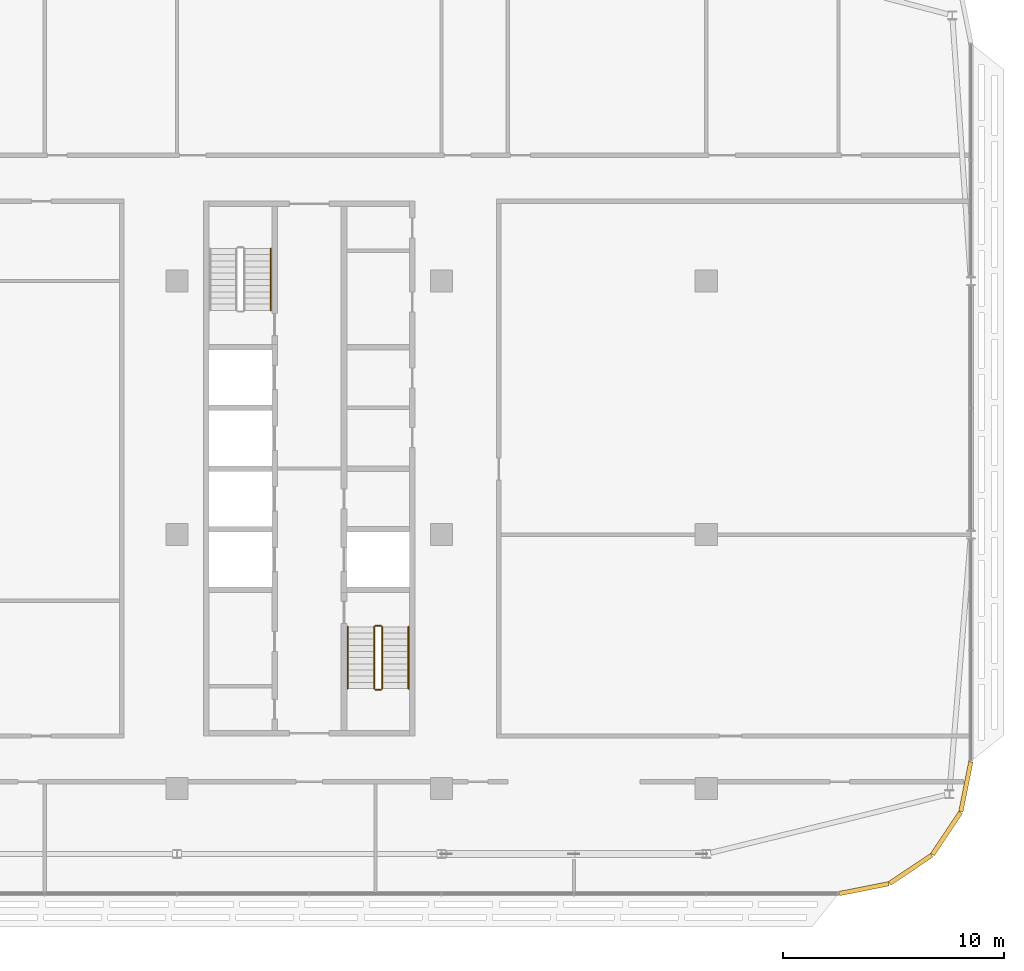
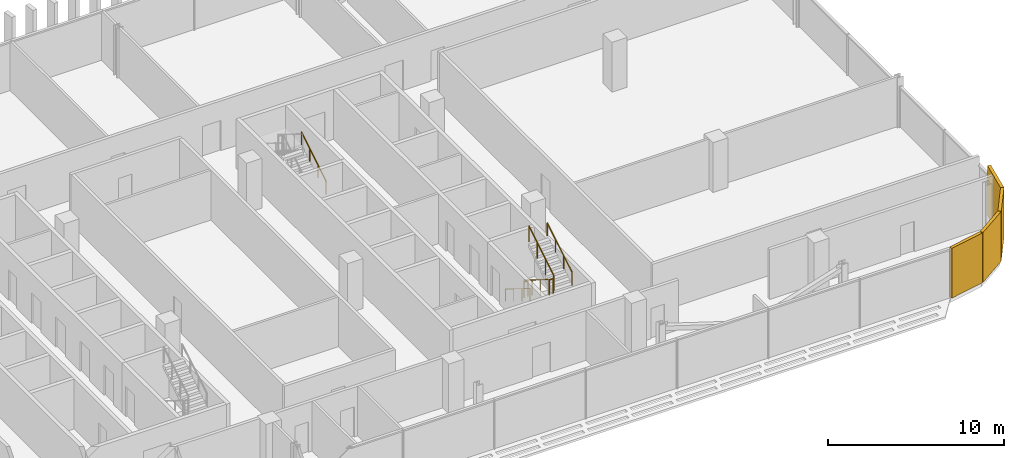
# One storey, part 31 of 32: 7 railings, 4 coverings.
"""IFC4 building model written with IfcOpenShell, lengths in metres."""

import ifcopenshell
import ifcopenshell.guid

model = None  # the IFC model being written
_history = None  # IfcOwnerHistory: only IFC2X3 demands one
_inside = {}  # id of a spatial element -> (the spatial element, [elements in it])
_under = {}  # id of a project, library or spatial element -> (it, [spatial elements below it])
_declared = {}  # id of a project -> (the project, [libraries it declares])
_typed = {}  # id of a type object -> (the type object, [elements of that type])
_made_of = {}  # id of a material, layer set ... -> (it, [elements and type objects made of it])


def new_model(schema):
    """Start an empty IFC model of exactly this schema.

    Asked for "IFC4X3", IfcOpenShell would pick the latest addendum, in which some entities
    have other attributes; the version numbers below select the first issue.
    IFC2X3 requires an IfcOwnerHistory on every rooted entity: one is made here for all.
    """
    global model, _history
    if schema == "IFC4X3":
        model = ifcopenshell.file(schema_version=(4, 3, 0, 0))
    else:
        model = ifcopenshell.file(schema=schema)
    _inside.clear()
    _under.clear()
    _declared.clear()
    _typed.clear()
    _made_of.clear()
    _history = None
    if model.schema == "IFC2X3":
        org = make("IfcOrganization", Name="unknown")
        user = make(
            "IfcPersonAndOrganization",
            ThePerson=make("IfcPerson", FamilyName="unknown"),
            TheOrganization=org,
        )
        app = make(
            "IfcApplication",
            ApplicationDeveloper=org,
            Version="unknown",
            ApplicationFullName="unknown",
            ApplicationIdentifier="unknown",
        )
        _history = make(
            "IfcOwnerHistory",
            OwningUser=user,
            OwningApplication=app,
            ChangeAction="ADDED",
            CreationDate=0,
        )
    return model


def make(cls, **values):
    """One entity of the class cls with the attributes given. An attribute that is None is left unset."""
    return model.create_entity(
        cls, **{name: value for name, value in values.items() if value is not None}
    )


def rooted(cls, **values):
    """An entity with a GlobalId (a new one), such as an element, a storey or a relation."""
    return make(cls, GlobalId=ifcopenshell.guid.new(), OwnerHistory=_history, **values)


def si_unit(unit_type, name, prefix=None):
    """IfcSIUnit, for example si_unit("LENGTHUNIT", "METRE", prefix="MILLI")."""
    return make("IfcSIUnit", UnitType=unit_type, Prefix=prefix, Name=name)


def assignment(units):
    """IfcUnitAssignment: the units of a project."""
    return None if units is None else make("IfcUnitAssignment", Units=units)


def point(xyz):
    """IfcCartesianPoint."""
    return None if xyz is None else make("IfcCartesianPoint", Coordinates=xyz)


def direction(xyz):
    """IfcDirection."""
    return None if xyz is None else make("IfcDirection", DirectionRatios=xyz)


def frame(location, z_axis=None, x_axis=None):
    """IfcAxis2Placement3D, a coordinate frame: its origin and axes. An axis left out is left unset."""
    return make(
        "IfcAxis2Placement3D",
        Location=point(location),
        Axis=direction(z_axis),
        RefDirection=direction(x_axis),
    )


def frame_2d(location, x_axis=None):
    """IfcAxis2Placement2D, a coordinate frame in the plane: its origin and x axis."""
    return make(
        "IfcAxis2Placement2D", Location=point(location), RefDirection=direction(x_axis)
    )


def origin():
    """The frame at (0, 0, 0) with its axes left unset."""
    return frame((0.0, 0.0, 0.0))


def origin_2d():
    """The frame at (0, 0) in the plane with its x axis left unset."""
    return frame_2d((0.0, 0.0))


def place(relative_to, where):
    """IfcLocalPlacement: puts the frame where relative to a parent placement (None: the world)."""
    return make(
        "IfcLocalPlacement", PlacementRelTo=relative_to, RelativePlacement=where
    )


def context(
    kind, dimensions, precision=None, world=None, true_north=None, identifier=None
):
    """IfcGeometricRepresentationContext, for example the 3D "Model" context."""
    return make(
        "IfcGeometricRepresentationContext",
        ContextIdentifier=identifier,
        ContextType=kind,
        CoordinateSpaceDimension=dimensions,
        Precision=precision,
        WorldCoordinateSystem=world,
        TrueNorth=true_north,
    )


def subcontext(parent, identifier, kind, view, scale=None):
    """IfcGeometricRepresentationSubContext, for example "Body" below "Model"."""
    return make(
        "IfcGeometricRepresentationSubContext",
        ContextIdentifier=identifier,
        ContextType=kind,
        ParentContext=parent,
        TargetScale=scale,
        TargetView=view,
    )


def project(units=None, contexts=None):
    """IfcProject with its units and contexts."""
    return rooted(
        "IfcProject",
        Name="project",
        RepresentationContexts=contexts,
        UnitsInContext=assignment(units),
    )


def spatial(cls, under=None, at=None, **own):
    """A site, building, storey or space (cls), placed at a placement, below another one or the project."""
    s = rooted(cls, ObjectPlacement=at, **own)
    if under is not None:
        _under.setdefault(under.id(), (under, []))[1].append(s)
    return s


def profile(cls, at=None, kind="AREA", **sizes):
    """A parametric profile (cls). Its sizes go by their IFC names, for example OverallWidth=200.0."""
    return make(cls, ProfileType=kind, Position=at, **sizes)


def rectangle(**sizes):
    """IfcRectangleProfileDef."""
    return profile("IfcRectangleProfileDef", **sizes)


def circle(**sizes):
    """IfcCircleProfileDef."""
    return profile("IfcCircleProfileDef", **sizes)


def extrude(swept, where, along, depth):
    """IfcExtrudedAreaSolid: the profile swept, set in the frame where, extruded along a direction by depth."""
    return make(
        "IfcExtrudedAreaSolid",
        SweptArea=swept,
        Position=where,
        ExtrudedDirection=direction(along),
        Depth=depth,
    )


def shape(context_of_items, identifier, shape_type, items):
    """IfcShapeRepresentation: the items that make up one representation, for example the "Body"."""
    return make(
        "IfcShapeRepresentation",
        ContextOfItems=context_of_items,
        RepresentationIdentifier=identifier,
        RepresentationType=shape_type,
        Items=items,
    )


def material(Name=None, Category=None):
    """IfcMaterial."""
    return make("IfcMaterial", Name=Name, Category=Category)


def layer(
    of_material, thickness, ventilated=None, Name=None, Category=None, Priority=None
):
    """IfcMaterialLayer: one layer of a wall or slab, of a material (None: an air gap)."""
    return make(
        "IfcMaterialLayer",
        Material=of_material,
        LayerThickness=thickness,
        IsVentilated=ventilated,
        Name=Name,
        Category=Category,
        Priority=Priority,
    )


def layer_set(layers, Name=None):
    """IfcMaterialLayerSet."""
    return make("IfcMaterialLayerSet", MaterialLayers=layers, LayerSetName=Name)


def made_of(thing, what):
    """Note that an element or type object is made of a material, layer set ...; save() writes the relation."""
    if what is not None:
        _made_of.setdefault(what.id(), (what, []))[1].append(thing)
    return thing


def type_object(cls, material=None, **own):
    """A type object (cls), such as IfcWallType, which elements share."""
    return made_of(rooted(cls, **own), material)


def element(
    cls,
    number,
    at=None,
    inside=None,
    cuts=None,
    type_object=None,
    material=None,
    context=None,
    identifier="Body",
    shape_type=None,
    held_by="IfcProductDefinitionShape",
    body=None,
    shapes=None,
    **own,
):
    """One element of the class cls, such as IfcWall. Its Tag is "e" and its number.

    at: its placement. inside: the storey or other place that contains it. cuts: it is an
    opening in that element (IfcRelVoidsElement). A single representation is given by context,
    identifier, shape_type and body (its items); several are given by shapes. held_by: the class
    of the entity that holds the representations. save() writes the other relations.
    """
    e = rooted(cls, Tag="e%d" % number, ObjectPlacement=at, **own)
    if body is not None:
        shapes = [shape(context, identifier, shape_type, body)]
    if shapes is not None:
        e.Representation = make(held_by, Representations=shapes)
    if inside is not None:
        _inside.setdefault(inside.id(), (inside, []))[1].append(e)
    if cuts is not None:
        rooted(
            "IfcRelVoidsElement", RelatingBuildingElement=cuts, RelatedOpeningElement=e
        )
    if type_object is not None:
        _typed.setdefault(type_object.id(), (type_object, []))[1].append(e)
    return made_of(e, material)


def aggregate(whole, parts):
    """IfcRelAggregates: a whole, such as a stair, and the parts it consists of."""
    return rooted("IfcRelAggregates", RelatingObject=whole, RelatedObjects=parts)


def save(model, path):
    """Write the relations noted so far, then the file.

    IfcRelAggregates (storeys below a building ...), IfcRelContainedInSpatialStructure (elements
    in a storey), IfcRelDefinesByType, IfcRelAssociatesMaterial and IfcRelDeclares: one each for
    every whole, place, type object, material and project.
    """
    for whole, parts in _under.values():
        aggregate(whole, parts)
    for where, things in _inside.values():
        rooted(
            "IfcRelContainedInSpatialStructure",
            RelatedElements=things,
            RelatingStructure=where,
        )
    for kind, things in _typed.values():
        rooted("IfcRelDefinesByType", RelatedObjects=things, RelatingType=kind)
    for what, things in _made_of.values():
        rooted("IfcRelAssociatesMaterial", RelatedObjects=things, RelatingMaterial=what)
    for by, libraries in _declared.values():
        rooted("IfcRelDeclares", RelatingContext=by, RelatedDefinitions=libraries)
    model.write(path)


model = new_model("IFC4")

# Units and contexts
model_context = context("Model", 3, precision=1e-05, world=origin(), true_north=direction((0.0, 1.0)))
body_context = subcontext(model_context, "Body", "Model", "MODEL_VIEW")
ifc_project = project(units=[si_unit("LENGTHUNIT", "METRE"), si_unit("AREAUNIT", "SQUARE_METRE"), si_unit("VOLUMEUNIT", "CUBIC_METRE"), si_unit("PLANEANGLEUNIT", "RADIAN"), si_unit("MASSUNIT", "GRAM", prefix="KILO")], contexts=[model_context])

# Site, building, storey
site_placement = place(None, origin())
site = spatial("IfcSite", under=ifc_project, at=site_placement, CompositionType="ELEMENT")
building_placement = place(site_placement, origin())
building = spatial("IfcBuilding", under=site, at=building_placement, Name="Mahtab Terrace Research Tower", CompositionType="ELEMENT")
storey_placement = place(building_placement, frame((0.0, 0.0, 236.199951171875)))
storey = spatial("IfcBuildingStorey", under=building, at=storey_placement, Name="L57", CompositionType="ELEMENT", Elevation=236.199951171875)

# Coverings
ifc_material_1 = material(Name="Black aluminium cladding panel", Category="aluminium")
ifc_layer = layer(ifc_material_1, 0.199951171875)
ifc_layer_set = layer_set([ifc_layer], Name="Black metal corner cladding 200")
covering_type = type_object("IfcCoveringType", Name="Black metal corner cladding 200", PredefinedType="CLADDING", material=ifc_layer_set)
for number, where, z_axis, x_axis, name in (
    (1, (49.14794921875, -16.049560546875, 0.0), (0.0, 0.0, 1.0), (0.980760981187, 0.195212442692, 0.0), "Corner cladding L57 17"),
    (2, (51.26953125, -15.1708984375, 0.0), (0.0, 0.0, 1.0), (0.831655794326, 0.555291490808, 0.0), "Corner cladding L57 18"),
    (3, (52.89306640625, -13.547607421875, 0.0), (0.0, 0.0, 1.0), (0.555291490808, 0.831655794326, 0.0), "Corner cladding L57 19"),
    (4, (53.771484375, -11.426025390625, 0.0), (0.0, 0.0, 1.0), (0.195212442692, 0.980760981187, 0.0), "Corner cladding L57 20"),
):
    element("IfcCovering", number, at=place(storey_placement, frame(where, z_axis=z_axis, x_axis=x_axis)), inside=storey, type_object=covering_type, Name=name, PredefinedType="CLADDING", context=body_context, shape_type="SweptSolid", body=[
        extrude(rectangle(XDim=2.30126953125, YDim=0.199951171875, at=origin_2d()), origin(), (0.0, 0.0, 1.0), 3.4599609375),
    ])

# Railings
ifc_material_2 = material(Name="Stainless steel AISI 304", Category="steel")
railing_type_1 = type_object("IfcRailingType", Name="Stair guard 1100", PredefinedType="GUARDRAIL", material=ifc_material_2)
railing_1_placement = place(storey_placement, frame((26.949951171875, -4.175048828125, 0.1728515625)))
element("IfcRailing", 5, at=railing_1_placement, inside=storey, type_object=railing_type_1, Name="L57 ST4 stair guard 1", PredefinedType="GUARDRAIL", context=body_context, shape_type="SweptSolid", body=[
    extrude(circle(Radius=0.02392578125, at=origin_2d()), frame((0.0, 0.0, 1.076171875), z_axis=(0.0, -0.851089632645, 0.525020415988), x_axis=(1.0, 0.0, 0.0)), (0.0, 0.0, 1.0), 3.2900390625),
    extrude(circle(Radius=0.02099609375, at=origin_2d()), origin(), (0.0, 0.0, 1.0), 1.052001953125),
    extrude(circle(Radius=0.02099609375, at=origin_2d()), frame((0.0, -0.933349609375, 0.57568359375)), (0.0, 0.0, 1.0), 1.052001953125),
    extrude(circle(Radius=0.02099609375, at=origin_2d()), frame((0.0, -1.86669921875, 1.151611328125)), (0.0, 0.0, 1.0), 1.052001953125),
    extrude(circle(Radius=0.02099609375, at=origin_2d()), frame((0.0, -2.800048828125, 1.727294921875)), (0.0, 0.0, 1.0), 1.052001953125),
])
railing_2_placement = place(storey_placement, frame((27.0, -7.02490234375, 1.900146484375)))
element("IfcRailing", 6, at=railing_2_placement, inside=storey, type_object=railing_type_1, Name="L57 ST4 stair guard 2", PredefinedType="GUARDRAIL", context=body_context, shape_type="SweptSolid", body=[
    extrude(circle(Radius=0.02392578125, at=origin_2d()), frame((0.0, 0.0, 1.076171875), z_axis=(1.0, 0.0, 0.0), x_axis=(0.0, 1.0, 0.0)), (0.0, 0.0, 1.0), 0.25),
    extrude(circle(Radius=0.02099609375, at=origin_2d()), origin(), (0.0, 0.0, 1.0), 1.052001953125),
    extrude(circle(Radius=0.02099609375, at=origin_2d()), frame((0.25, 0.0, 0.0)), (0.0, 0.0, 1.0), 1.052001953125),
])
railing_3_placement = place(storey_placement, frame((27.300048828125, -6.97509765625, 2.07275390625)))
element("IfcRailing", 7, at=railing_3_placement, inside=storey, type_object=railing_type_1, Name="L57 ST4 stair guard 3", PredefinedType="GUARDRAIL", context=body_context, shape_type="SweptSolid", body=[
    extrude(circle(Radius=0.02392578125, at=origin_2d()), frame((0.0, 0.0, 1.076171875), z_axis=(0.0, 0.851089632645, 0.525020415988), x_axis=(-1.0, 0.0, 0.0)), (0.0, 0.0, 1.0), 3.2900390625),
    extrude(circle(Radius=0.02099609375, at=origin_2d()), origin(), (0.0, 0.0, 1.0), 1.052001953125),
    extrude(circle(Radius=0.02099609375, at=origin_2d()), frame((0.0, 0.933349609375, 0.57568359375)), (0.0, 0.0, 1.0), 1.052001953125),
    extrude(circle(Radius=0.02099609375, at=origin_2d()), frame((0.0, 1.86669921875, 1.151611328125)), (0.0, 0.0, 1.0), 1.052001953125),
    extrude(circle(Radius=0.02099609375, at=origin_2d()), frame((0.0, 2.800048828125, 1.727294921875)), (0.0, 0.0, 1.0), 1.052001953125),
])
railing_4_placement = place(storey_placement, frame((27.0, -4.125, 0.0)))
element("IfcRailing", 8, at=railing_4_placement, inside=storey, type_object=railing_type_1, Name="L57 ST4 stair guard 4", PredefinedType="GUARDRAIL", context=body_context, shape_type="SweptSolid", body=[
    extrude(circle(Radius=0.02392578125, at=origin_2d()), frame((0.0, 0.0, 1.076171875), z_axis=(1.0, 0.0, 0.0), x_axis=(0.0, 1.0, 0.0)), (0.0, 0.0, 1.0), 0.25),
    extrude(circle(Radius=0.02099609375, at=origin_2d()), origin(), (0.0, 0.0, 1.0), 1.052001953125),
    extrude(circle(Radius=0.02099609375, at=origin_2d()), frame((0.25, 0.0, 0.0)), (0.0, 0.0, 1.0), 1.052001953125),
])
railing_type_2 = type_object("IfcRailingType", Name="Stair handrail 900", PredefinedType="HANDRAIL", material=ifc_material_2)
railing_5_placement = place(storey_placement, frame((22.25, 10.175048828125, 0.1728515625)))
element("IfcRailing", 9, at=railing_5_placement, inside=storey, type_object=railing_type_2, Name="L57 ST3 stair handrail 1", PredefinedType="HANDRAIL", context=body_context, shape_type="SweptSolid", body=[
    extrude(circle(Radius=0.02392578125, at=origin_2d()), frame((0.0, 0.0, 0.8759765625), z_axis=(0.0, 0.851089632645, 0.525020415988), x_axis=(-1.0, 0.0, 0.0)), (0.0, 0.0, 1.0), 3.2900390625),
    extrude(circle(Radius=0.02099609375, at=origin_2d()), origin(), (0.0, 0.0, 1.0), 0.851806640625),
    extrude(circle(Radius=0.02099609375, at=origin_2d()), frame((0.0, 0.933349609375, 0.57568359375)), (0.0, 0.0, 1.0), 0.851806640625),
    extrude(circle(Radius=0.02099609375, at=origin_2d()), frame((0.0, 1.86669921875, 1.151611328125)), (0.0, 0.0, 1.0), 0.851806640625),
    extrude(circle(Radius=0.02099609375, at=origin_2d()), frame((0.0, 2.800048828125, 1.727294921875)), (0.0, 0.0, 1.0), 0.851806640625),
])
railing_6_placement = place(storey_placement, frame((25.75, -4.175048828125, 0.1728515625)))
element("IfcRailing", 10, at=railing_6_placement, inside=storey, type_object=railing_type_2, Name="L57 ST4 stair handrail 1", PredefinedType="HANDRAIL", context=body_context, shape_type="SweptSolid", body=[
    extrude(circle(Radius=0.02392578125, at=origin_2d()), frame((0.0, 0.0, 0.8759765625), z_axis=(0.0, -0.851089632645, 0.525020415988), x_axis=(1.0, 0.0, 0.0)), (0.0, 0.0, 1.0), 3.2900390625),
    extrude(circle(Radius=0.02099609375, at=origin_2d()), origin(), (0.0, 0.0, 1.0), 0.851806640625),
    extrude(circle(Radius=0.02099609375, at=origin_2d()), frame((0.0, -0.933349609375, 0.57568359375)), (0.0, 0.0, 1.0), 0.851806640625),
    extrude(circle(Radius=0.02099609375, at=origin_2d()), frame((0.0, -1.86669921875, 1.151611328125)), (0.0, 0.0, 1.0), 0.851806640625),
    extrude(circle(Radius=0.02099609375, at=origin_2d()), frame((0.0, -2.800048828125, 1.727294921875)), (0.0, 0.0, 1.0), 0.851806640625),
])
railing_7_placement = place(storey_placement, frame((28.5, -6.97509765625, 2.07275390625)))
element("IfcRailing", 11, at=railing_7_placement, inside=storey, type_object=railing_type_2, Name="L57 ST4 stair handrail 2", PredefinedType="HANDRAIL", context=body_context, shape_type="SweptSolid", body=[
    extrude(circle(Radius=0.02392578125, at=origin_2d()), frame((0.0, 0.0, 0.8759765625), z_axis=(0.0, 0.851089632645, 0.525020415988), x_axis=(-1.0, 0.0, 0.0)), (0.0, 0.0, 1.0), 3.2900390625),
    extrude(circle(Radius=0.02099609375, at=origin_2d()), origin(), (0.0, 0.0, 1.0), 0.851806640625),
    extrude(circle(Radius=0.02099609375, at=origin_2d()), frame((0.0, 0.933349609375, 0.57568359375)), (0.0, 0.0, 1.0), 0.851806640625),
    extrude(circle(Radius=0.02099609375, at=origin_2d()), frame((0.0, 1.86669921875, 1.151611328125)), (0.0, 0.0, 1.0), 0.851806640625),
    extrude(circle(Radius=0.02099609375, at=origin_2d()), frame((0.0, 2.800048828125, 1.727294921875)), (0.0, 0.0, 1.0), 0.851806640625),
])

save(model, "model.ifc")
